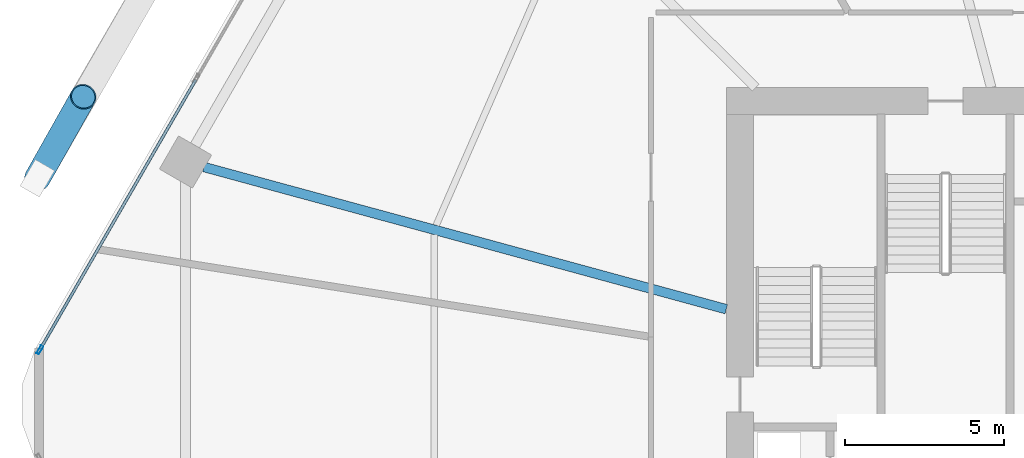
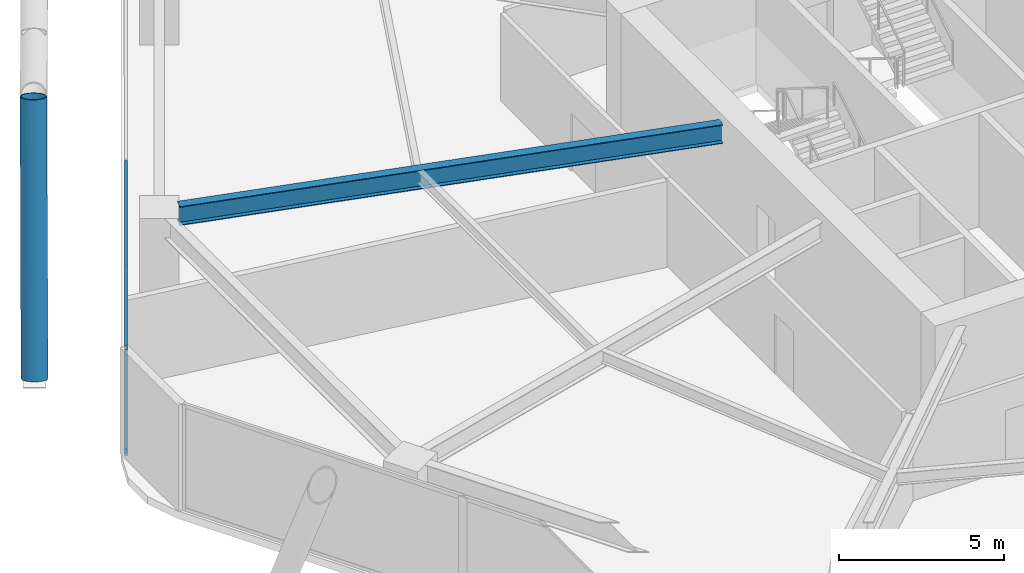
# One storey, part 13 of 28: 4 members, 1 beam, 1 element without a shape of its own.
"""IFC4 building model written with IfcOpenShell, lengths in metres."""

from ifc_helpers import new_model, si_unit, direction, frame, origin, origin_2d, place, context, subcontext, project, spatial, hollow_rectangle, hollow_circle, i_section, extrude, material, material_profile, profile_set, type_object, element, aggregate, save


model = new_model("IFC4")

# Units and contexts
model_context = context("Model", 3, precision=1e-05, world=origin(), true_north=direction((0.0, 1.0)))
body_context = subcontext(model_context, "Body", "Model", "MODEL_VIEW")
ifc_project = project(units=[si_unit("LENGTHUNIT", "METRE"), si_unit("AREAUNIT", "SQUARE_METRE"), si_unit("VOLUMEUNIT", "CUBIC_METRE"), si_unit("PLANEANGLEUNIT", "RADIAN"), si_unit("MASSUNIT", "GRAM", prefix="KILO")], contexts=[model_context])

# Site, building, storey
site_placement = place(None, origin())
site = spatial("IfcSite", under=ifc_project, at=site_placement, CompositionType="ELEMENT")
building_placement = place(site_placement, origin())
building = spatial("IfcBuilding", under=site, at=building_placement, Name="Zuhravey Tower", CompositionType="ELEMENT")
storey_placement = place(building_placement, frame((0.0, 0.0, 75.0)))
storey = spatial("IfcBuildingStorey", under=building, at=storey_placement, Name="L18", CompositionType="ELEMENT", Elevation=75.0)

# Curtain wall, members
ifc_material_1 = material(Name="Thermally broken anodised aluminium", Category="aluminium")
curtain_wall_type = type_object("IfcCurtainWallType", Name="School Low-E Unitised Curtain Wall CW1", PredefinedType="NOTDEFINED", material=ifc_material_1)
curtain_wall_placement = place(storey_placement, origin())
curtain_wall = element("IfcCurtainWall", 1, at=curtain_wall_placement, inside=storey, type_object=curtain_wall_type, Name="L18 CW1 CW-L18-F3-1", PredefinedType="NOTDEFINED")
ifc_material_2 = material(Name="Anodised aluminium", Category="aluminium")
ifc_material_profile_1 = material_profile(ifc_material_2, hollow_rectangle(XDim=0.090087890625, YDim=0.284912109375, WallThickness=0.0048828125, at=origin_2d()), Name="ALU-RHS-90x285x5")
ifc_profile_set_1 = profile_set([ifc_material_profile_1], Name="Anodised aluminium")
member_type_1 = type_object("IfcMemberType", Name="Curtain-Wall Mullion 90x180", PredefinedType="MULLION", material=ifc_profile_set_1)
member_1_placement = place(storey_placement, frame((3.5439453125, 33.701416015625, 0.0), z_axis=(0.0, 0.0, 1.0), x_axis=(-0.86602552265, 0.499999794119, 0.0)))
member_1 = element("IfcMember", 2, at=member_1_placement, type_object=member_type_1, Name="CW1 mullion 1", PredefinedType="MULLION", context=body_context, shape_type="SweptSolid", body=[
    extrude(hollow_rectangle(XDim=0.090087890625, YDim=0.284912109375, WallThickness=0.0048828125, at=origin_2d()), origin(), (0.0, 0.0, 1.0), 3.919921875),
])
ifc_material_profile_2 = material_profile(ifc_material_2, hollow_rectangle(XDim=0.090087890625, YDim=0.14990234375, WallThickness=0.0048828125, at=origin_2d()), Name="ALU-RHS-90x150x5")
ifc_profile_set_2 = profile_set([ifc_material_profile_2], Name="Anodised aluminium")
member_type_2 = type_object("IfcMemberType", Name="Curtain-Wall Transom 90x150", PredefinedType="USERDEFINED", material=ifc_profile_set_2)
member_2_placement = place(storey_placement, frame((3.56640625, 33.740478515625, 0.044921875), z_axis=(0.500008393077, 0.866020557985, 0.0), x_axis=(-0.866020557985, 0.500008393077, 0.0)))
member_2 = element("IfcMember", 3, at=member_2_placement, type_object=member_type_2, Name="CW1 transom 1.1", ObjectType="TRANSOM", PredefinedType="USERDEFINED", context=body_context, shape_type="SweptSolid", body=[
    extrude(hollow_rectangle(XDim=0.090087890625, YDim=0.14990234375, WallThickness=0.0048828125, at=origin_2d()), origin(), (0.0, 0.0, 1.0), 9.731201171875),
])
member_3_placement = place(storey_placement, frame((3.56640625, 33.740478515625, 3.875), z_axis=(0.500008393077, 0.866020557985, 0.0), x_axis=(-0.866020557985, 0.500008393077, 0.0)))
member_3 = element("IfcMember", 4, at=member_3_placement, type_object=member_type_2, Name="CW1 transom 1.2", ObjectType="TRANSOM", PredefinedType="USERDEFINED", context=body_context, shape_type="SweptSolid", body=[
    extrude(hollow_rectangle(XDim=0.090087890625, YDim=0.14990234375, WallThickness=0.0048828125, at=origin_2d()), origin(), (0.0, 0.0, 1.0), 9.731201171875),
])
aggregate(curtain_wall, [member_1, member_2, member_3])

# Member
ifc_material_3 = material(Name="Steel SM460", Category="steel")
ifc_material_profile_3 = material_profile(ifc_material_3, hollow_circle(Radius=0.406494140625, WallThickness=0.035888671875, at=origin_2d()), Name="CHS-812.8x36")
ifc_profile_set_3 = profile_set([ifc_material_profile_3], Name="Steel SM460")
member_type_3 = type_object("IfcMemberType", Name="Exoskeleton Zone 1 Diagrid CHS813x36", PredefinedType="BRACE", material=ifc_profile_set_3)
member_4_placement = place(storey_placement, frame((3.46630859375, 39.087158203125, -0.471923828125), z_axis=(0.16241062079, 0.288037579757, 0.943746333981), x_axis=(-0.871071780124, 0.49115573281, 0.0)))
element("IfcMember", 5, at=member_4_placement, inside=storey, type_object=member_type_3, Name="L18 Face 3 Diagrid Brace 4", PredefinedType="BRACE", context=body_context, shape_type="SweptSolid", body=[
    extrude(hollow_circle(Radius=0.406494140625, WallThickness=0.035888671875, at=origin_2d()), origin(), (0.0, 0.0, 1.0), 8.85400390625),
])

# Beam
ifc_material_4 = material(Name="Steel SM355", Category="steel")
ifc_material_profile_4 = material_profile(ifc_material_4, i_section(OverallWidth=0.300048828125, OverallDepth=0.699951171875, WebThickness=0.012939453125, FlangeThickness=0.02392578125, at=origin_2d()), Name="H-700x300x13x24")
ifc_profile_set_4 = profile_set([ifc_material_profile_4], Name="Steel SM355")
beam_type = type_object("IfcBeamType", Name="Radial Primary Girder H700x300", PredefinedType="BEAM", material=ifc_profile_set_4)
beam_placement = place(storey_placement, frame((25.072021484375, 34.974609375, 3.570068359375), z_axis=(-0.964892480455, 0.26264520015, 0.0), x_axis=(-0.26264520015, -0.964892480455, 0.0)))
element("IfcBeam", 6, at=beam_placement, inside=storey, type_object=beam_type, Name="L18 RG1 BM-L18-RAD-06", PredefinedType="BEAM", context=body_context, shape_type="SweptSolid", body=[
    extrude(i_section(OverallWidth=0.300048828125, OverallDepth=0.699951171875, WebThickness=0.012939453125, FlangeThickness=0.02392578125, at=origin_2d()), origin(), (0.0, 0.0, 1.0), 16.975341796875),
])

save(model, "model.ifc")
